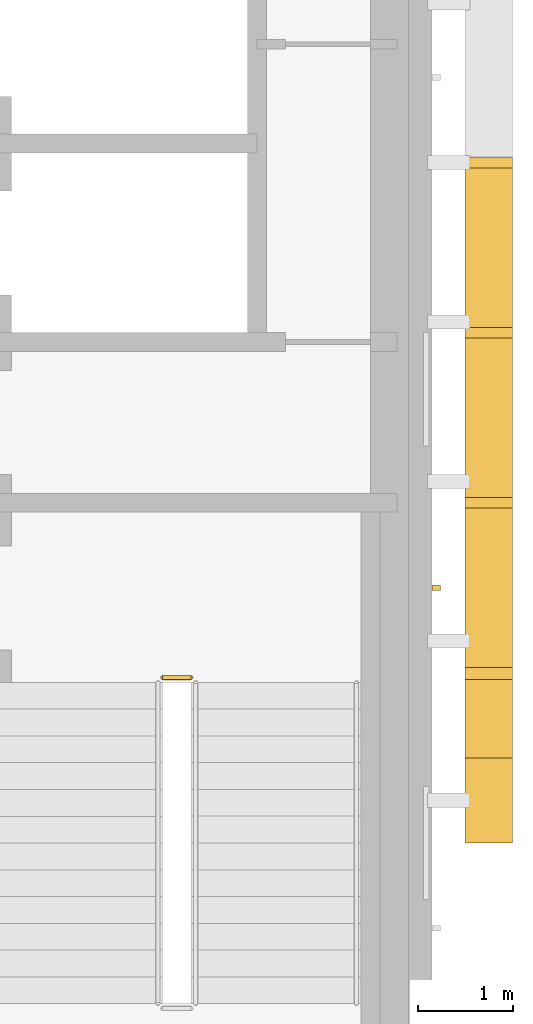
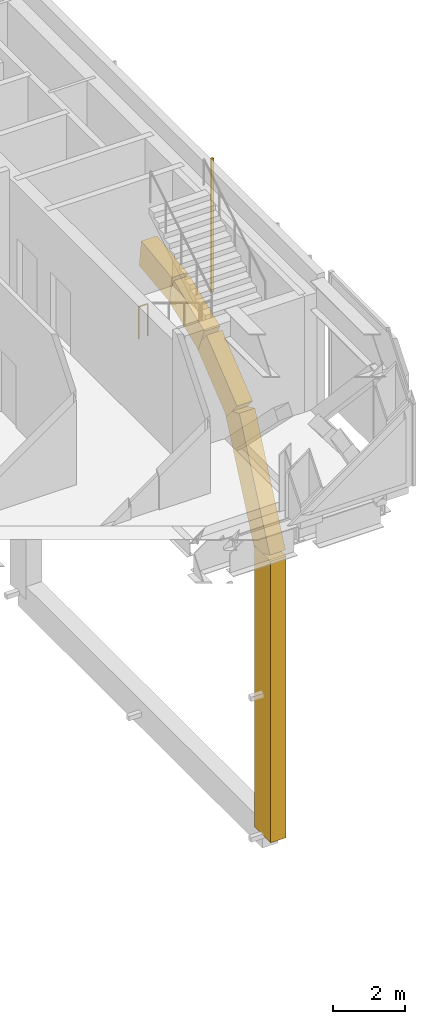
# One storey, part 22 of 26: 6 coverings, 1 railing.
"""IFC4 building model written with IfcOpenShell, lengths in metres."""

from ifc_helpers import new_model, si_unit, direction, frame, origin, origin_2d, place, context, subcontext, project, spatial, rectangle, circle, extrude, material, material_profile, profile_set, type_object, element, save


model = new_model("IFC4")

# Units and contexts
model_context = context("Model", 3, precision=1e-05, world=origin(), true_north=direction((0.0, 1.0)))
body_context = subcontext(model_context, "Body", "Model", "MODEL_VIEW")
ifc_project = project(units=[si_unit("LENGTHUNIT", "METRE"), si_unit("AREAUNIT", "SQUARE_METRE"), si_unit("VOLUMEUNIT", "CUBIC_METRE"), si_unit("PLANEANGLEUNIT", "RADIAN"), si_unit("MASSUNIT", "GRAM", prefix="KILO")], contexts=[model_context])

# Site, building, storey
site_placement = place(None, origin())
site = spatial("IfcSite", under=ifc_project, at=site_placement, CompositionType="ELEMENT")
building_placement = place(site_placement, origin())
building = spatial("IfcBuilding", under=site, at=building_placement, Name="Cobrizo Arcos Hotel Tower", CompositionType="ELEMENT")
storey_placement = place(building_placement, frame((0.0, 0.0, 236.5)))
storey = spatial("IfcBuildingStorey", under=building, at=storey_placement, Name="L62", CompositionType="ELEMENT", Elevation=236.5)

# Coverings
ifc_material_1 = material(Name="Aluminium 6063-T6 anodised pale", Category="aluminium")
ifc_material_profile = material_profile(ifc_material_1, rectangle(XDim=0.5, YDim=0.89990234375, at=origin_2d()), Name="AF-2 core arch rim 500x900")
ifc_profile_set = profile_set([ifc_material_profile], Name="Aluminium 6063-T6 anodised pale")
covering_type_1 = type_object("IfcCoveringType", Name="AF-2 core arch rim 500x900", PredefinedType="CLADDING", material=ifc_profile_set)
covering_1_placement = place(storey_placement, frame((21.25, -6.748291015625, -7.5615234375), z_axis=(0.0, 0.409445476845, 0.912334588565), x_axis=(-1.0, 0.0, 0.0)))
element("IfcCovering", 1, at=covering_1_placement, inside=storey, type_object=covering_type_1, Name="Arch rim C E face", PredefinedType="CLADDING", context=body_context, shape_type="SweptSolid", body=[
    extrude(rectangle(XDim=0.5, YDim=0.89990234375, at=origin_2d()), origin(), (0.0, 0.0, 1.0), 4.1201171875),
])
covering_2_placement = place(storey_placement, frame((21.25, -5.061279296875, -3.802490234375), z_axis=(0.0, 0.777399424026, 0.6290072619), x_axis=(-1.0, 0.0, 0.0)))
element("IfcCovering", 2, at=covering_2_placement, inside=storey, type_object=covering_type_1, Name="Arch rim C E face", PredefinedType="CLADDING", context=body_context, shape_type="SweptSolid", body=[
    extrude(rectangle(XDim=0.5, YDim=0.89990234375, at=origin_2d()), origin(), (0.0, 0.0, 1.0), 2.170166015625),
])
covering_3_placement = place(storey_placement, frame((21.25, -3.374267578125, -2.4375), z_axis=(0.0, 0.926634507645, 0.375963414764), x_axis=(-1.0, 0.0, 0.0)))
element("IfcCovering", 3, at=covering_3_placement, inside=storey, type_object=covering_type_1, Name="Arch rim C E face", PredefinedType="CLADDING", context=body_context, shape_type="SweptSolid", body=[
    extrude(rectangle(XDim=0.5, YDim=0.89990234375, at=origin_2d()), origin(), (0.0, 0.0, 1.0), 1.82080078125),
])
covering_4_placement = place(storey_placement, frame((21.25, -1.68701171875, -1.7529296875), z_axis=(0.0, 0.992131403305, 0.125200952776), x_axis=(-1.0, 0.0, 0.0)))
element("IfcCovering", 4, at=covering_4_placement, inside=storey, type_object=covering_type_1, Name="Arch rim C E face", PredefinedType="CLADDING", context=body_context, shape_type="SweptSolid", body=[
    extrude(rectangle(XDim=0.5, YDim=0.89990234375, at=origin_2d()), origin(), (0.0, 0.0, 1.0), 1.700439453125),
])
covering_5_placement = place(storey_placement, frame((21.25, -6.748291015625, -17.050048828125), z_axis=(0.0, 0.0, 1.0), x_axis=(1.0, 0.0, 0.0)))
element("IfcCovering", 5, at=covering_5_placement, inside=storey, type_object=covering_type_1, Name="Arch rim C E face", PredefinedType="CLADDING", context=body_context, shape_type="SweptSolid", body=[
    extrude(rectangle(XDim=0.5, YDim=0.89990234375, at=origin_2d()), origin(), (0.0, 0.0, 1.0), 9.488525390625),
])
covering_type_2 = type_object("IfcCoveringType", Name="RS-1 rainscreen rib 60x90", PredefinedType="CLADDING", material=ifc_material_1)
covering_6_placement = place(storey_placement, frame((20.695068359375, -4.5, 0.0), z_axis=(0.0, 0.0, 1.0), x_axis=(0.0, 1.0, 0.0)))
element("IfcCovering", 6, at=covering_6_placement, inside=storey, type_object=covering_type_2, Name="Rainscreen rib 83", PredefinedType="CLADDING", context=body_context, shape_type="SweptSolid", body=[
    extrude(rectangle(XDim=0.06005859375, YDim=0.090087890625, at=origin_2d()), origin(), (0.0, 0.0, 1.0), 4.5),
])

# Railing
ifc_material_2 = material(Name="Stainless steel railing", Category="steel")
railing_type = type_object("IfcRailingType", Name="Stair guard 1100", PredefinedType="GUARDRAIL", material=ifc_material_2)
railing_placement = place(storey_placement, frame((17.800048828125, -5.449951171875, 0.0)))
element("IfcRailing", 7, at=railing_placement, inside=storey, type_object=railing_type, Name="L62 ST-E stair guard 4", PredefinedType="GUARDRAIL", context=body_context, shape_type="SweptSolid", body=[
    extrude(circle(Radius=0.02392578125, at=origin_2d()), frame((0.0, 0.0, 1.076171875), z_axis=(1.0, 0.0, 0.0), x_axis=(0.0, 1.0, 0.0)), (0.0, 0.0, 1.0), 0.300048828125),
    extrude(circle(Radius=0.02099609375, at=origin_2d()), origin(), (0.0, 0.0, 1.0), 1.052001953125),
    extrude(circle(Radius=0.02099609375, at=origin_2d()), frame((0.300048828125, 0.0, 0.0)), (0.0, 0.0, 1.0), 1.052001953125),
])

save(model, "model.ifc")
